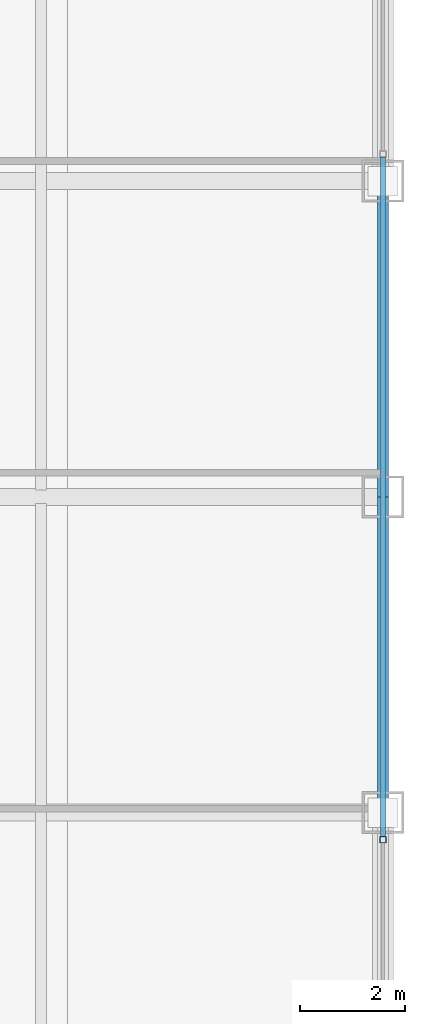
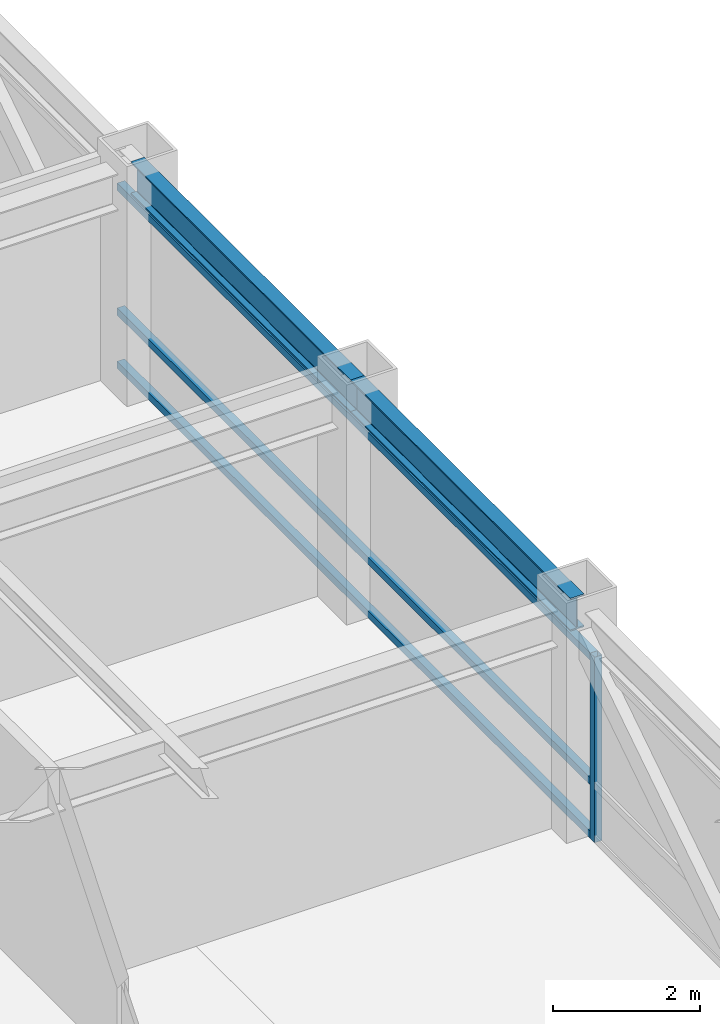
# One storey, part 14 of 29: 4 members, 2 beams, 1 element without a shape of its own.
"""IFC4 building model written with IfcOpenShell, lengths in metres."""

from ifc_helpers import new_model, si_unit, direction, frame, origin, origin_2d, place, context, subcontext, project, spatial, hollow_rectangle, i_section, extrude, source, transform, mapped, material, material_profile, profile_set, type_object, element, aggregate, save


model = new_model("IFC4")

# Units and contexts
model_context = context("Model", 3, precision=1e-05, world=origin(), true_north=direction((0.0, 1.0)))
body_context = subcontext(model_context, "Body", "Model", "MODEL_VIEW")
ifc_project = project(units=[si_unit("LENGTHUNIT", "METRE"), si_unit("AREAUNIT", "SQUARE_METRE"), si_unit("VOLUMEUNIT", "CUBIC_METRE"), si_unit("PLANEANGLEUNIT", "RADIAN"), si_unit("MASSUNIT", "GRAM", prefix="KILO")], contexts=[model_context])

# Site, building, storey
site_placement = place(None, origin())
site = spatial("IfcSite", under=ifc_project, at=site_placement, CompositionType="ELEMENT")
building_placement = place(site_placement, origin())
building = spatial("IfcBuilding", under=site, at=building_placement, Name="Khorayat Bourse Tower", CompositionType="ELEMENT")
storey_placement = place(building_placement, frame((0.0, 0.0, 346.300048828125)))
storey = spatial("IfcBuildingStorey", under=building, at=storey_placement, Name="L82", CompositionType="ELEMENT", Elevation=346.300048828125)

# Beams
ifc_material_1 = material(Name="Steel ASTM A992 Grade 50", Category="steel")
ifc_material_profile_1 = material_profile(ifc_material_1, i_section(OverallWidth=0.214111328125, OverallDepth=0.549072265625, WebThickness=0.0146484375, FlangeThickness=0.023681640625, FilletRadius=0.013916015625, at=origin_2d()), Name="W530X138")
ifc_profile_set_1 = profile_set([ifc_material_profile_1], Name="Steel ASTM A992 Grade 50")
beam_type = type_object("IfcBeamType", Name="BM-SPAN-530", PredefinedType="SPANDREL", material=ifc_profile_set_1)
shared_shape_1 = source(origin(), body_context, "Body", "SweptSolid", [
    extrude(i_section(OverallWidth=0.214111328125, OverallDepth=0.549072265625, WebThickness=0.0146484375, FlangeThickness=0.023681640625, FilletRadius=0.013916015625, at=origin_2d()), origin(), (0.0, 0.0, 1.0), 6.0),
])
for number, where, z_axis, x_axis, name in (
    (1, (26.0, -6.0, 3.46533203125), (0.0, 1.0, 0.0), (-1.0, 0.0, 0.0), "L82 BM-SPAN-530 BM-L82-SPN-031"),
    (2, (26.0, 0.0, 3.46533203125), (0.0, 1.0, 0.0), (-1.0, 0.0, 0.0), "L82 BM-SPAN-530 BM-L82-SPN-032"),
):
    element("IfcBeam", number, at=place(storey_placement, frame(where, z_axis=z_axis, x_axis=x_axis)), inside=storey, type_object=beam_type, Name=name, PredefinedType="SPANDREL", context=body_context, shape_type="MappedRepresentation", body=[
        mapped(shared_shape_1, transform((0.0, 0.0, 0.0), scale=1.0)),
    ])

# Curtain wall, members
ifc_material_2 = material(Name="Aluminium EN AW-6063 T6", Category="aluminium")
curtain_wall_type = type_object("IfcCurtainWallType", Name="CW-SYS-06", PredefinedType="NOTDEFINED", material=ifc_material_2)
curtain_wall_placement = place(storey_placement, origin())
curtain_wall = element("IfcCurtainWall", 3, at=curtain_wall_placement, inside=storey, type_object=curtain_wall_type, Name="L82 Curtain Wall CW-L82-E1", PredefinedType="NOTDEFINED")
ifc_material_profile_2 = material_profile(ifc_material_2, hollow_rectangle(XDim=0.1201171875, YDim=0.1201171875, WallThickness=0.0048828125, at=origin_2d()), Name="ALU 120x120x5")
ifc_profile_set_2 = profile_set([ifc_material_profile_2], Name="Aluminium EN AW-6063 T6")
member_type_1 = type_object("IfcMemberType", Name="CWM-VERT-120", PredefinedType="MULLION", material=ifc_profile_set_2)
shared_shape_2 = source(origin(), body_context, "Body", "SweptSolid", [
    extrude(hollow_rectangle(XDim=0.1201171875, YDim=0.1201171875, WallThickness=0.0048828125, at=origin_2d()), origin(), (0.0, 0.0, 1.0), 3.08984375),
])
member_1_placement = place(storey_placement, frame((26.0, -6.5166015625, 0.0), z_axis=(0.0, 0.0, 1.0), x_axis=(-1.0, 0.0, 0.0)))
member_1 = element("IfcMember", 4, at=member_1_placement, type_object=member_type_1, Name="CW-L82-E1 Vertical Mullion 2", PredefinedType="MULLION", context=body_context, shape_type="MappedRepresentation", body=[
    mapped(shared_shape_2, transform((0.0, 0.0, 0.0), scale=1.0)),
])
ifc_material_profile_3 = material_profile(ifc_material_2, hollow_rectangle(XDim=0.1201171875, YDim=0.1201171875, WallThickness=0.0048828125, at=origin_2d()), Name="ALU 120x120x5")
ifc_profile_set_3 = profile_set([ifc_material_profile_3], Name="Aluminium EN AW-6063 T6")
member_type_2 = type_object("IfcMemberType", Name="CWT-HORZ-120", PredefinedType="USERDEFINED", material=ifc_profile_set_3)
shared_shape_3 = source(origin(), body_context, "Body", "SweptSolid", [
    extrude(hollow_rectangle(XDim=0.1201171875, YDim=0.1201171875, WallThickness=0.0048828125, at=origin_2d()), origin(), (0.0, 0.0, 1.0), 12.91357421875),
])
member_2_placement = place(storey_placement, frame((26.0, -6.456787109375, 0.06005859375), z_axis=(0.0, 1.0, 0.0), x_axis=(-1.0, 0.0, 0.0)))
member_2 = element("IfcMember", 5, at=member_2_placement, type_object=member_type_2, Name="CW-L82-E1 Horizontal Transom 2-1", ObjectType="TRANSOM", PredefinedType="USERDEFINED", context=body_context, shape_type="MappedRepresentation", body=[
    mapped(shared_shape_3, transform((0.0, 0.0, 0.0), scale=1.0)),
])
member_3_placement = place(storey_placement, frame((26.0, -6.456787109375, 0.949951171875), z_axis=(0.0, 1.0, 0.0), x_axis=(-1.0, 0.0, 0.0)))
member_3 = element("IfcMember", 6, at=member_3_placement, type_object=member_type_2, Name="CW-L82-E1 Horizontal Transom 2-2", ObjectType="TRANSOM", PredefinedType="USERDEFINED", context=body_context, shape_type="MappedRepresentation", body=[
    mapped(shared_shape_3, transform((0.0, 0.0, 0.0), scale=1.0)),
])
member_4_placement = place(storey_placement, frame((26.0, -6.456787109375, 3.030029296875), z_axis=(0.0, 1.0, 0.0), x_axis=(-1.0, 0.0, 0.0)))
member_4 = element("IfcMember", 7, at=member_4_placement, type_object=member_type_2, Name="CW-L82-E1 Horizontal Transom 2-3", ObjectType="TRANSOM", PredefinedType="USERDEFINED", context=body_context, shape_type="MappedRepresentation", body=[
    mapped(shared_shape_3, transform((0.0, 0.0, 0.0), scale=1.0)),
])
aggregate(curtain_wall, [member_1, member_2, member_3, member_4])

save(model, "model.ifc")
